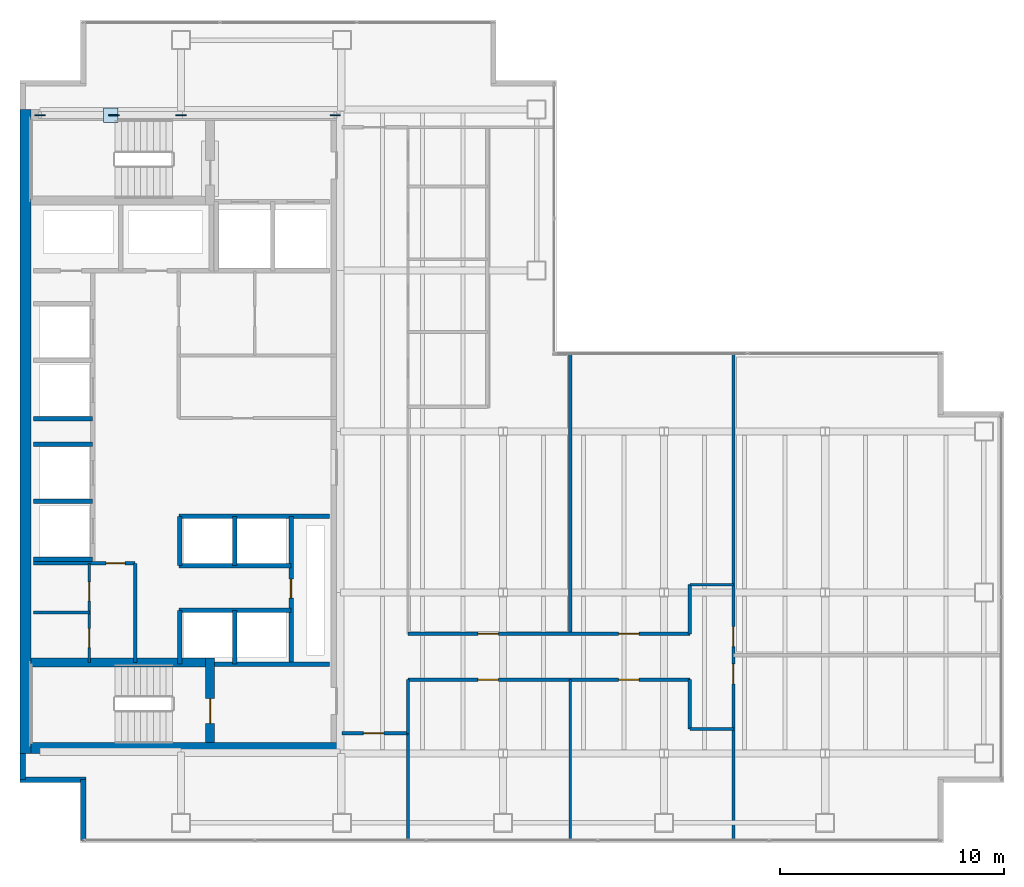
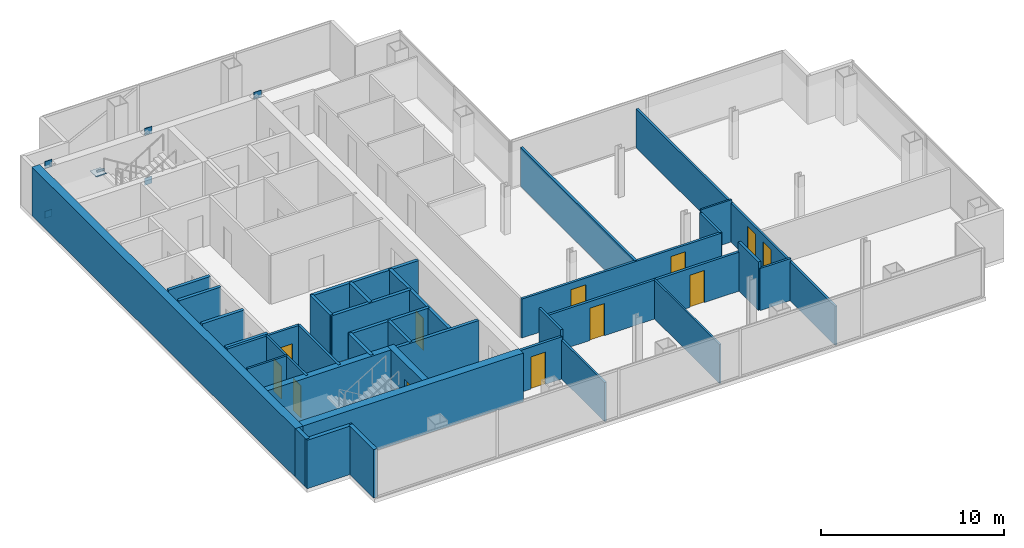
# One storey, part 20 of 23: 36 walls, 12 doors, 7 plates, 12 openings.
"""IFC4 building model written with IfcOpenShell, lengths in metres."""

from ifc_helpers import new_model, si_unit, direction, frame, frame_2d, origin, origin_2d, place, context, subcontext, project, spatial, rectangle, extrude, material, layer, layer_set, type_object, element, fill, save


model = new_model("IFC4")

# Units and contexts
model_context = context("Model", 3, precision=1e-05, world=origin(), true_north=direction((0.0, 1.0)))
body_context = subcontext(model_context, "Body", "Model", "MODEL_VIEW")
ifc_project = project(units=[si_unit("LENGTHUNIT", "METRE"), si_unit("AREAUNIT", "SQUARE_METRE"), si_unit("VOLUMEUNIT", "CUBIC_METRE"), si_unit("PLANEANGLEUNIT", "RADIAN"), si_unit("MASSUNIT", "GRAM", prefix="KILO")], contexts=[model_context])

# Site, building, storey
site_placement = place(None, origin())
site = spatial("IfcSite", under=ifc_project, at=site_placement, CompositionType="ELEMENT")
building_placement = place(site_placement, origin())
building = spatial("IfcBuilding", under=site, at=building_placement, Name="Cobrela Telecom Tower", CompositionType="ELEMENT")
storey_placement = place(building_placement, frame((0.0, 0.0, 173.25)))
storey = spatial("IfcBuildingStorey", under=building, at=storey_placement, Name="L43", CompositionType="ELEMENT", Elevation=173.25)

# Plates
ifc_material_1 = material(Name="Steel ASTM A572 Grade 50", Category="steel")
ifc_layer_1 = layer(ifc_material_1, 0.0419921875)
ifc_layer_set_1 = layer_set([ifc_layer_1], Name="Steel ASTM A572 Grade 50")
plate_type = type_object("IfcPlateType", Name="PLT-NODE-ND1", PredefinedType="USERDEFINED", material=ifc_layer_set_1)
for number, where, z_axis, x_axis, name in (
    (1, (0.89990234375, 35.75, -0.27001953125), (0.0, 0.0, 1.0), (1.0, 0.0, 0.0), "Steel node plate PLT-MBR-EXO-L43-N1-A-0"),
    (2, (7.199951171875, 35.75, 3.050048828125), (0.0, 0.0, 1.0), (1.0, 0.0, 0.0), "Steel node plate PLT-MBR-EXO-L43-N1-A-1"),
    (3, (7.199951171875, 35.75, -0.27001953125), (0.0, 0.0, 1.0), (-1.0, 0.0, 0.0), "Steel node plate PLT-MBR-EXO-L43-N1-B1-0"),
    (4, (4.198486328125, 35.75, 1.311767578125), (0.0, 0.0, 1.0), (-1.0, 0.0, 0.0), "Steel node plate PLT-MBR-EXO-L43-N1-B1-1"),
    (5, (0.89990234375, 35.75, 3.050048828125), (0.0, 0.0, 1.0), (-1.0, 0.0, 0.0), "Steel node plate PLT-MBR-EXO-L43-N1-B2-1"),
):
    element("IfcPlate", number, at=place(storey_placement, frame(where, z_axis=z_axis, x_axis=x_axis)), inside=storey, type_object=plate_type, Name=name, ObjectType="GUSSET PLATE", PredefinedType="USERDEFINED", context=body_context, shape_type="SweptSolid", body=[
        extrude(rectangle(XDim=0.4599609375, YDim=0.044921875, at=origin_2d()), origin(), (0.0, 0.0, 1.0), 0.4599609375),
    ])
plate_1_placement = place(storey_placement, frame((4.050048828125, 35.75, 1.59765625), z_axis=(0.0, 0.0, 1.0), x_axis=(1.0, 0.0, 0.0)))
element("IfcPlate", 6, at=plate_1_placement, inside=storey, type_object=plate_type, Name="L43 Core Flange Steel X-Brace Central X-Crossing Gusset Plate", ObjectType="GUSSET PLATE", PredefinedType="USERDEFINED", context=body_context, shape_type="SweptSolid", body=[
    extrude(rectangle(XDim=0.64990234375, YDim=0.64990234375, at=origin_2d()), origin(), (0.0, 0.0, 1.0), 0.044921875),
])
plate_2_placement = place(storey_placement, frame((14.10009765625, 35.75, 3.050048828125), z_axis=(0.0, 0.0, 1.0), x_axis=(1.0, 0.0, 0.0)))
element("IfcPlate", 7, at=plate_2_placement, inside=storey, type_object=plate_type, Name="Steel node plate PLT-MBR-EXO-L43-N2-1", ObjectType="GUSSET PLATE", PredefinedType="USERDEFINED", context=body_context, shape_type="SweptSolid", body=[
    extrude(rectangle(XDim=0.4599609375, YDim=0.044921875, at=origin_2d()), origin(), (0.0, 0.0, 1.0), 0.4599609375),
])

# Walls
ifc_material_2 = material(Name="Concrete C40/50", Category="concrete")
ifc_layer_2 = layer(ifc_material_2, 0.5)
ifc_layer_set_2 = layer_set([ifc_layer_2], Name="Concrete C40/50")
wall_type_1 = type_object("IfcWallType", Name="WALL-CORE-C40-500", PredefinedType="SHEAR", material=ifc_layer_set_2)
wall_1_placement = place(storey_placement, frame((0.25, 7.199951171875, 0.0), z_axis=(0.0, 0.0, 1.0), x_axis=(0.0, 1.0, 0.0)))
element("IfcWall", 8, at=wall_1_placement, inside=storey, type_object=wall_type_1, Name="L43 West Core Shear Wall", PredefinedType="SHEAR", context=body_context, shape_type="SweptSolid", body=[
    extrude(rectangle(XDim=28.800048828125, YDim=0.5, at=frame_2d((14.39990234375, 0.0))), origin(), (0.0, 0.0, 1.0), 3.239990234375),
])
wall_2_placement = place(storey_placement, frame((0.5, 7.449951171875, 0.0), z_axis=(0.0, 0.0, 1.0), x_axis=(1.0, 0.0, 0.0)))
element("IfcWall", 9, at=wall_2_placement, inside=storey, type_object=wall_type_1, Name="L43 South Core Shear Wall", PredefinedType="SHEAR", context=body_context, shape_type="SweptSolid", body=[
    extrude(rectangle(XDim=13.89990234375, YDim=0.5, at=frame_2d((6.949951171875, 0.0))), origin(), (0.0, 0.0, 1.0), 3.239990234375),
])
ifc_layer_3 = layer(ifc_material_2, 0.239990234375)
ifc_layer_set_3 = layer_set([ifc_layer_3], Name="Concrete C40/50")
wall_type_2 = type_object("IfcWallType", Name="WALL-EXT-300", PredefinedType="STANDARD", material=ifc_layer_set_3)
wall_3_placement = place(storey_placement, frame((2.830078125, 3.320068359375, 0.0), z_axis=(0.0, 0.0, 1.0), x_axis=(0.0, 1.0, 0.0)))
element("IfcWall", 10, at=wall_3_placement, inside=storey, type_object=wall_type_2, Name="L43 Insulated Facade Wall 01", PredefinedType="STANDARD", context=body_context, shape_type="SweptSolid", body=[
    extrude(rectangle(XDim=2.7099609375, YDim=0.239990234375, at=frame_2d((1.35498046875, 0.0))), origin(), (0.0, 0.0, 1.0), 3.239990234375),
])
wall_4_placement = place(storey_placement, frame((2.949951171875, 6.030029296875, 0.0), z_axis=(0.0, 0.0, 1.0), x_axis=(-1.0, 0.0, 0.0)))
element("IfcWall", 11, at=wall_4_placement, inside=storey, type_object=wall_type_2, Name="L43 Insulated Facade Wall 02", PredefinedType="STANDARD", context=body_context, shape_type="SweptSolid", body=[
    extrude(rectangle(XDim=2.949951171875, YDim=0.239990234375, at=frame_2d((1.47509765625, 0.0))), origin(), (0.0, 0.0, 1.0), 3.239990234375),
])
wall_5_placement = place(storey_placement, frame((0.1201171875, 6.030029296875, 0.0), z_axis=(0.0, 0.0, 1.0), x_axis=(0.0, 1.0, 0.0)))
element("IfcWall", 12, at=wall_5_placement, inside=storey, type_object=wall_type_2, Name="L43 Insulated Facade Wall 03", PredefinedType="STANDARD", context=body_context, shape_type="SweptSolid", body=[
    extrude(rectangle(XDim=1.169921875, YDim=0.239990234375, at=frame_2d((0.5849609375, 0.0))), origin(), (0.0, 0.0, 1.0), 3.239990234375),
])
ifc_material_3 = material(Name="Fire-Rated Gypsum Plasterboard")
ifc_layer_4 = layer(ifc_material_3, 0.110107421875)
ifc_layer_set_4 = layer_set([ifc_layer_4], Name="Fire-Rated Gypsum Plasterboard")
wall_type_3 = type_object("IfcWallType", Name="WALL-PART-110", PredefinedType="PARTITIONING", material=ifc_layer_set_4)
wall_6_placement = place(storey_placement, frame((29.949951171875, 14.75, 0.0), z_axis=(0.0, 0.0, 1.0), x_axis=(1.0, 0.0, 0.0)))
element("IfcWall", 13, at=wall_6_placement, inside=storey, type_object=wall_type_3, Name="L43 Interior Partition W-CT-N", PredefinedType="PARTITIONING", context=body_context, shape_type="SweptSolid", body=[
    extrude(rectangle(XDim=1.949951171875, YDim=0.110107421875, at=frame_2d((0.97509765625, 0.0))), origin(), (0.0, 0.0, 1.0), 2.80810546875),
])
wall_7_placement = place(storey_placement, frame((24.60009765625, 3.320068359375, 0.0), z_axis=(0.0, 0.0, 1.0), x_axis=(0.0, 1.0, 0.0)))
element("IfcWall", 14, at=wall_7_placement, inside=storey, type_object=wall_type_3, Name="L43 Interior Partition W-SV-1", PredefinedType="PARTITIONING", context=body_context, shape_type="SweptSolid", body=[
    extrude(rectangle(XDim=7.179931640625, YDim=0.110107421875, at=frame_2d((3.58984375, 0.0))), origin(), (0.0, 0.0, 1.0), 2.60302734375),
])
ifc_layer_5 = layer(ifc_material_3, 0.125)
ifc_layer_set_5 = layer_set([ifc_layer_5], Name="Fire-Rated Gypsum Plasterboard")
wall_type_4 = type_object("IfcWallType", Name="WALL-PART-125", PredefinedType="PARTITIONING", material=ifc_layer_set_5)
wall_8_placement = place(storey_placement, frame((0.60009765625, 13.5, 0.0), z_axis=(0.0, 0.0, 1.0), x_axis=(1.0, 0.0, 0.0)))
element("IfcWall", 15, at=wall_8_placement, inside=storey, type_object=wall_type_4, Name="L43 Interior Partition CW-FK3-H", PredefinedType="PARTITIONING", context=body_context, shape_type="SweptSolid", body=[
    extrude(rectangle(XDim=2.5, YDim=0.125, at=frame_2d((1.25, 0.0))), origin(), (0.0, 0.0, 1.0), 3.239990234375),
])

# Wall, openings, doors
wall_9_placement = place(storey_placement, frame((3.10009765625, 11.280029296875, 0.0), z_axis=(0.0, 0.0, 1.0), x_axis=(0.0, 1.0, 0.0)))
wall_9 = element("IfcWall", 16, at=wall_9_placement, inside=storey, type_object=wall_type_4, Name="L43 Interior Partition CW-FK3-V", PredefinedType="PARTITIONING", context=body_context, shape_type="SweptSolid", body=[
    extrude(rectangle(XDim=4.419921875, YDim=0.125, at=frame_2d((2.2099609375, 0.0))), origin(), (0.0, 0.0, 1.0), 3.239990234375),
])
opening_1_placement = place(wall_9_placement, frame((0.64990234375, 0.0, 0.0)))
opening_1 = element("IfcOpeningElement", 17, at=opening_1_placement, cuts=wall_9, Name="Opening DR-11", PredefinedType="OPENING", context=body_context, shape_type="SweptSolid", body=[
    extrude(rectangle(XDim=0.85009765625, YDim=2.14990234375, at=frame_2d((0.425048828125, 1.074951171875))), frame((0.0, 0.074462890625, 0.0), z_axis=(0.0, -1.0, 0.0), x_axis=(1.0, 0.0, 0.0)), (0.0, 0.0, 1.0), 0.14892578125),
])
opening_2_placement = place(wall_9_placement, frame((2.75, 0.0, 0.0)))
opening_2 = element("IfcOpeningElement", 18, at=opening_2_placement, cuts=wall_9, Name="Opening DR-11", PredefinedType="OPENING", context=body_context, shape_type="SweptSolid", body=[
    extrude(rectangle(XDim=0.85009765625, YDim=2.14990234375, at=frame_2d((0.425048828125, 1.074951171875))), frame((0.0, 0.074462890625, 0.0), z_axis=(0.0, -1.0, 0.0), x_axis=(1.0, 0.0, 0.0)), (0.0, 0.0, 1.0), 0.14892578125),
])
ifc_material_4 = material(Name="Solid Engineered Oak Timber", Category="wood")
door_type_1 = type_object("IfcDoorType", Name="DOOR-INT-850", OperationType="SINGLE_SWING_LEFT", PredefinedType="DOOR", material=ifc_material_4)
door_1_placement = place(opening_1_placement, origin())
door_1 = element("IfcDoor", 19, at=door_1_placement, inside=storey, type_object=door_type_1, Name="L43 Door DR-11", OperationType="SINGLE_SWING_LEFT", OverallHeight=2.14990234375, OverallWidth=0.85009765625, PredefinedType="DOOR", context=body_context, shape_type="SweptSolid", body=[
    extrude(rectangle(XDim=0.85009765625, YDim=2.14990234375, at=frame_2d((0.425048828125, 1.074951171875))), frame((0.0, 0.02490234375, 0.0), z_axis=(0.0, -1.0, 0.0), x_axis=(1.0, 0.0, 0.0)), (0.0, 0.0, 1.0), 0.050048828125),
])
fill(opening_1, door_1)
door_2_placement = place(opening_2_placement, origin())
door_2 = element("IfcDoor", 20, at=door_2_placement, inside=storey, type_object=door_type_1, Name="L43 Door DR-11", OperationType="SINGLE_SWING_RIGHT", OverallHeight=2.14990234375, OverallWidth=0.85009765625, PredefinedType="DOOR", context=body_context, shape_type="SweptSolid", body=[
    extrude(rectangle(XDim=0.85009765625, YDim=2.14990234375, at=frame_2d((0.425048828125, 1.074951171875))), frame((0.0, 0.02490234375, 0.0), z_axis=(0.0, -1.0, 0.0), x_axis=(1.0, 0.0, 0.0)), (0.0, 0.0, 1.0), 0.050048828125),
])
fill(opening_2, door_2)

# Walls
ifc_layer_6 = layer(ifc_material_3, 0.135009765625)
ifc_layer_set_6 = layer_set([ifc_layer_6], Name="Fire-Rated Gypsum Plasterboard")
wall_type_5 = type_object("IfcWallType", Name="WALL-PART-135", PredefinedType="PARTITIONING", material=ifc_layer_set_6)
wall_10_placement = place(storey_placement, frame((17.35009765625, 8.10009765625, 0.0), z_axis=(0.0, 0.0, 1.0), x_axis=(0.0, 1.0, 0.0)))
element("IfcWall", 21, at=wall_10_placement, inside=storey, type_object=wall_type_5, Name="L43 Interior Partition W-C-E1", PredefinedType="PARTITIONING", context=body_context, shape_type="SweptSolid", body=[
    extrude(rectangle(XDim=2.39990234375, YDim=0.135009765625, at=frame_2d((1.199951171875, 0.0))), origin(), (0.0, 0.0, 1.0), 3.239990234375),
])
wall_11_placement = place(storey_placement, frame((29.949951171875, 8.300048828125, 0.0), z_axis=(0.0, 0.0, 1.0), x_axis=(1.0, 0.0, 0.0)))
element("IfcWall", 22, at=wall_11_placement, inside=storey, type_object=wall_type_5, Name="L43 Interior Partition W-CT-S", PredefinedType="PARTITIONING", context=body_context, shape_type="SweptSolid", body=[
    extrude(rectangle(XDim=1.949951171875, YDim=0.135009765625, at=frame_2d((0.97509765625, 0.0))), origin(), (0.0, 0.0, 1.0), 2.80810546875),
])

# Wall, openings, doors
wall_12_placement = place(storey_placement, frame((31.89990234375, 3.320068359375, 0.0), z_axis=(0.0, 0.0, 1.0), x_axis=(0.0, 1.0, 0.0)))
wall_12 = element("IfcWall", 23, at=wall_12_placement, inside=storey, type_object=wall_type_5, Name="L43 Interior Partition W-C-END", PredefinedType="PARTITIONING", context=body_context, shape_type="SweptSolid", body=[
    extrude(rectangle(XDim=21.760009765625, YDim=0.135009765625, at=frame_2d((10.8798828125, 0.0))), origin(), (0.0, 0.0, 1.0), 2.60302734375),
])
opening_3_placement = place(wall_12_placement, frame((6.989990234375, 0.0, 0.0)))
opening_3 = element("IfcOpeningElement", 24, at=opening_3_placement, cuts=wall_12, Name="Opening DR-41", PredefinedType="OPENING", context=body_context, shape_type="SweptSolid", body=[
    extrude(rectangle(XDim=0.89990234375, YDim=2.14990234375, at=frame_2d((0.449951171875, 1.074951171875))), frame((0.0, 0.07958984375, 0.0), z_axis=(0.0, -1.0, 0.0), x_axis=(1.0, 0.0, 0.0)), (0.0, 0.0, 1.0), 0.158935546875),
])
opening_4_placement = place(wall_12_placement, frame((8.659912109375, 0.0, 0.0)))
opening_4 = element("IfcOpeningElement", 25, at=opening_4_placement, cuts=wall_12, Name="Opening DR-41", PredefinedType="OPENING", context=body_context, shape_type="SweptSolid", body=[
    extrude(rectangle(XDim=0.89990234375, YDim=2.14990234375, at=frame_2d((0.449951171875, 1.074951171875))), frame((0.0, 0.07958984375, 0.0), z_axis=(0.0, -1.0, 0.0), x_axis=(1.0, 0.0, 0.0)), (0.0, 0.0, 1.0), 0.158935546875),
])
door_type_2 = type_object("IfcDoorType", Name="DOOR-INT-900", OperationType="SINGLE_SWING_LEFT", PredefinedType="DOOR", material=ifc_material_4)
door_3_placement = place(opening_3_placement, origin())
door_3 = element("IfcDoor", 26, at=door_3_placement, inside=storey, type_object=door_type_2, Name="L43 Door DR-41", OperationType="SINGLE_SWING_LEFT", OverallHeight=2.14990234375, OverallWidth=0.89990234375, PredefinedType="DOOR", context=body_context, shape_type="SweptSolid", body=[
    extrude(rectangle(XDim=0.89990234375, YDim=2.14990234375, at=frame_2d((0.449951171875, 1.074951171875))), frame((0.0, 0.02490234375, 0.0), z_axis=(0.0, -1.0, 0.0), x_axis=(1.0, 0.0, 0.0)), (0.0, 0.0, 1.0), 0.050048828125),
])
fill(opening_3, door_3)
door_4_placement = place(opening_4_placement, origin())
door_4 = element("IfcDoor", 27, at=door_4_placement, inside=storey, type_object=door_type_2, Name="L43 Door DR-41", OperationType="SINGLE_SWING_RIGHT", OverallHeight=2.14990234375, OverallWidth=0.89990234375, PredefinedType="DOOR", context=body_context, shape_type="SweptSolid", body=[
    extrude(rectangle(XDim=0.89990234375, YDim=2.14990234375, at=frame_2d((0.449951171875, 1.074951171875))), frame((0.0, 0.02490234375, 0.0), z_axis=(0.0, -1.0, 0.0), x_axis=(1.0, 0.0, 0.0)), (0.0, 0.0, 1.0), 0.050048828125),
])
fill(opening_4, door_4)

# Walls
wall_13_placement = place(storey_placement, frame((17.35009765625, 3.320068359375, 0.0), z_axis=(0.0, 0.0, 1.0), x_axis=(0.0, 1.0, 0.0)))
element("IfcWall", 28, at=wall_13_placement, inside=storey, type_object=wall_type_5, Name="L43 Interior Partition W-SW-E", PredefinedType="PARTITIONING", context=body_context, shape_type="SweptSolid", body=[
    extrude(rectangle(XDim=4.780029296875, YDim=0.135009765625, at=frame_2d((2.39013671875, 0.0))), origin(), (0.0, 0.0, 1.0), 2.60302734375),
])
ifc_layer_7 = layer(ifc_material_3, 0.14990234375)
ifc_layer_set_7 = layer_set([ifc_layer_7], Name="Fire-Rated Gypsum Plasterboard")
wall_type_6 = type_object("IfcWallType", Name="WALL-PART-150", PredefinedType="PARTITIONING", material=ifc_layer_set_7)
wall_14_placement = place(storey_placement, frame((5.14990234375, 11.280029296875, 0.0), z_axis=(0.0, 0.0, 1.0), x_axis=(0.0, 1.0, 0.0)))
element("IfcWall", 29, at=wall_14_placement, inside=storey, type_object=wall_type_6, Name="L43 Interior Partition CW-FLEX-E", PredefinedType="PARTITIONING", context=body_context, shape_type="SweptSolid", body=[
    extrude(rectangle(XDim=4.419921875, YDim=0.14990234375, at=frame_2d((2.2099609375, 0.0))), origin(), (0.0, 0.0, 1.0), 3.239990234375),
])

# Wall, openings, doors
wall_15_placement = place(storey_placement, frame((17.35009765625, 12.550048828125, 0.0), z_axis=(0.0, 0.0, 1.0), x_axis=(1.0, 0.0, 0.0)))
wall_15 = element("IfcWall", 30, at=wall_15_placement, inside=storey, type_object=wall_type_6, Name="L43 Interior Partition W-C-HN", PredefinedType="PARTITIONING", context=body_context, shape_type="SweptSolid", body=[
    extrude(rectangle(XDim=12.599853515625, YDim=0.14990234375, at=frame_2d((6.2998046875, 0.0))), origin(), (0.0, 0.0, 1.0), 2.60302734375),
])
opening_5_placement = place(wall_15_placement, frame((3.1201171875, 0.0, 0.0)))
opening_5 = element("IfcOpeningElement", 31, at=opening_5_placement, cuts=wall_15, Name="Opening DR-45", PredefinedType="OPENING", context=body_context, shape_type="SweptSolid", body=[
    extrude(rectangle(XDim=0.919921875, YDim=2.14990234375, at=frame_2d((0.4599609375, 1.074951171875))), frame((0.0, 0.0869140625, 0.0), z_axis=(0.0, -1.0, 0.0), x_axis=(1.0, 0.0, 0.0)), (0.0, 0.0, 1.0), 0.173828125),
])
opening_6_placement = place(wall_15_placement, frame((9.419921875, 0.0, 0.0)))
opening_6 = element("IfcOpeningElement", 32, at=opening_6_placement, cuts=wall_15, Name="Opening DR-45", PredefinedType="OPENING", context=body_context, shape_type="SweptSolid", body=[
    extrude(rectangle(XDim=0.919921875, YDim=2.14990234375, at=frame_2d((0.4599609375, 1.074951171875))), frame((0.0, 0.0869140625, 0.0), z_axis=(0.0, -1.0, 0.0), x_axis=(1.0, 0.0, 0.0)), (0.0, 0.0, 1.0), 0.173828125),
])
door_type_3 = type_object("IfcDoorType", Name="DOOR-INT-920", OperationType="SINGLE_SWING_LEFT", PredefinedType="DOOR", material=ifc_material_4)
door_5_placement = place(opening_5_placement, origin())
door_5 = element("IfcDoor", 33, at=door_5_placement, inside=storey, type_object=door_type_3, Name="L43 Door DR-45", OperationType="SINGLE_SWING_LEFT", OverallHeight=2.14990234375, OverallWidth=0.919921875, PredefinedType="DOOR", context=body_context, shape_type="SweptSolid", body=[
    extrude(rectangle(XDim=0.919921875, YDim=2.14990234375, at=frame_2d((0.4599609375, 1.074951171875))), frame((0.0, 0.02490234375, 0.0), z_axis=(0.0, -1.0, 0.0), x_axis=(1.0, 0.0, 0.0)), (0.0, 0.0, 1.0), 0.050048828125),
])
fill(opening_5, door_5)
door_6_placement = place(opening_6_placement, origin())
door_6 = element("IfcDoor", 34, at=door_6_placement, inside=storey, type_object=door_type_3, Name="L43 Door DR-45", OperationType="SINGLE_SWING_RIGHT", OverallHeight=2.14990234375, OverallWidth=0.919921875, PredefinedType="DOOR", context=body_context, shape_type="SweptSolid", body=[
    extrude(rectangle(XDim=0.919921875, YDim=2.14990234375, at=frame_2d((0.4599609375, 1.074951171875))), frame((0.0, 0.02490234375, 0.0), z_axis=(0.0, -1.0, 0.0), x_axis=(1.0, 0.0, 0.0)), (0.0, 0.0, 1.0), 0.050048828125),
])
fill(opening_6, door_6)

# Walls
wall_16_placement = place(storey_placement, frame((29.949951171875, 12.550048828125, 0.0), z_axis=(0.0, 0.0, 1.0), x_axis=(0.0, 1.0, 0.0)))
element("IfcWall", 35, at=wall_16_placement, inside=storey, type_object=wall_type_6, Name="L43 Interior Partition W-CT-JW2", PredefinedType="PARTITIONING", context=body_context, shape_type="SweptSolid", body=[
    extrude(rectangle(XDim=2.199951171875, YDim=0.14990234375, at=frame_2d((1.10009765625, 0.0))), origin(), (0.0, 0.0, 1.0), 2.60302734375),
])
wall_17_placement = place(storey_placement, frame((24.60009765625, 12.550048828125, 0.0), z_axis=(0.0, 0.0, 1.0), x_axis=(0.0, 1.0, 0.0)))
element("IfcWall", 36, at=wall_17_placement, inside=storey, type_object=wall_type_6, Name="L43 Interior Partition W-NV-1", PredefinedType="PARTITIONING", context=body_context, shape_type="SweptSolid", body=[
    extrude(rectangle(XDim=12.5, YDim=0.14990234375, at=frame_2d((6.25, 0.0))), origin(), (0.0, 0.0, 1.0), 2.60302734375),
])

# Wall, opening, door
ifc_layer_8 = layer(ifc_material_3, 0.159912109375)
ifc_layer_set_8 = layer_set([ifc_layer_8], Name="Fire-Rated Gypsum Plasterboard")
wall_type_7 = type_object("IfcWallType", Name="WALL-PART-160", PredefinedType="PARTITIONING", material=ifc_layer_set_8)
wall_18_placement = place(storey_placement, frame((0.60009765625, 15.699951171875, 0.0), z_axis=(0.0, 0.0, 1.0), x_axis=(1.0, 0.0, 0.0)))
wall_18 = element("IfcWall", 37, at=wall_18_placement, inside=storey, type_object=wall_type_7, Name="L43 Interior Partition CW-FLEX-N", PredefinedType="PARTITIONING", context=body_context, shape_type="SweptSolid", body=[
    extrude(rectangle(XDim=4.5498046875, YDim=0.159912109375, at=frame_2d((2.27490234375, 0.0))), origin(), (0.0, 0.0, 1.0), 3.239990234375),
])
opening_7_placement = place(wall_18_placement, frame((3.25, 0.0, 0.0)))
opening_7 = element("IfcOpeningElement", 38, at=opening_7_placement, cuts=wall_18, Name="Opening DR-11", PredefinedType="OPENING", context=body_context, shape_type="SweptSolid", body=[
    extrude(rectangle(XDim=0.85009765625, YDim=2.14990234375, at=frame_2d((0.425048828125, 1.074951171875))), frame((0.0, 0.091796875, 0.0), z_axis=(0.0, -1.0, 0.0), x_axis=(1.0, 0.0, 0.0)), (0.0, 0.0, 1.0), 0.183837890625),
])
door_7_placement = place(opening_7_placement, origin())
door_7 = element("IfcDoor", 39, at=door_7_placement, inside=storey, type_object=door_type_1, Name="L43 Door DR-11", OperationType="SINGLE_SWING_LEFT", OverallHeight=2.14990234375, OverallWidth=0.85009765625, PredefinedType="DOOR", context=body_context, shape_type="SweptSolid", body=[
    extrude(rectangle(XDim=0.85009765625, YDim=2.14990234375, at=frame_2d((0.425048828125, 1.074951171875))), frame((0.0, 0.02490234375, 0.0), z_axis=(0.0, -1.0, 0.0), x_axis=(1.0, 0.0, 0.0)), (0.0, 0.0, 1.0), 0.050048828125),
])
fill(opening_7, door_7)

wall_19_placement = place(storey_placement, frame((14.39990234375, 8.10009765625, 0.0), z_axis=(0.0, 0.0, 1.0), x_axis=(1.0, 0.0, 0.0)))
wall_19 = element("IfcWall", 40, at=wall_19_placement, inside=storey, type_object=wall_type_7, Name="L43 Interior Partition W-C-S0", PredefinedType="PARTITIONING", context=body_context, shape_type="SweptSolid", body=[
    extrude(rectangle(XDim=2.9501953125, YDim=0.159912109375, at=frame_2d((1.47509765625, 0.0))), origin(), (0.0, 0.0, 1.0), 2.80810546875),
])
opening_8_placement = place(wall_19_placement, frame((0.949951171875, 0.0, 0.0)))
opening_8 = element("IfcOpeningElement", 41, at=opening_8_placement, cuts=wall_19, Name="Opening DR-45", PredefinedType="OPENING", context=body_context, shape_type="SweptSolid", body=[
    extrude(rectangle(XDim=0.919921875, YDim=2.14990234375, at=frame_2d((0.4599609375, 1.074951171875))), frame((0.0, 0.091796875, 0.0), z_axis=(0.0, -1.0, 0.0), x_axis=(1.0, 0.0, 0.0)), (0.0, 0.0, 1.0), 0.183837890625),
])
door_8_placement = place(opening_8_placement, origin())
door_8 = element("IfcDoor", 42, at=door_8_placement, inside=storey, type_object=door_type_3, Name="L43 Door DR-45", OperationType="SINGLE_SWING_RIGHT", OverallHeight=2.14990234375, OverallWidth=0.919921875, PredefinedType="DOOR", context=body_context, shape_type="SweptSolid", body=[
    extrude(rectangle(XDim=0.919921875, YDim=2.14990234375, at=frame_2d((0.4599609375, 1.074951171875))), frame((0.0, 0.02490234375, 0.0), z_axis=(0.0, -1.0, 0.0), x_axis=(1.0, 0.0, 0.0)), (0.0, 0.0, 1.0), 0.050048828125),
])
fill(opening_8, door_8)

# Wall, openings, doors
wall_20_placement = place(storey_placement, frame((17.35009765625, 10.5, 0.0), z_axis=(0.0, 0.0, 1.0), x_axis=(1.0, 0.0, 0.0)))
wall_20 = element("IfcWall", 43, at=wall_20_placement, inside=storey, type_object=wall_type_7, Name="L43 Interior Partition W-C-HS", PredefinedType="PARTITIONING", context=body_context, shape_type="SweptSolid", body=[
    extrude(rectangle(XDim=12.599853515625, YDim=0.159912109375, at=frame_2d((6.2998046875, 0.0))), origin(), (0.0, 0.0, 1.0), 2.60302734375),
])
opening_9_placement = place(wall_20_placement, frame((3.1201171875, 0.0, 0.0)))
opening_9 = element("IfcOpeningElement", 44, at=opening_9_placement, cuts=wall_20, Name="Opening DR-45", PredefinedType="OPENING", context=body_context, shape_type="SweptSolid", body=[
    extrude(rectangle(XDim=0.919921875, YDim=2.14990234375, at=frame_2d((0.4599609375, 1.074951171875))), frame((0.0, 0.091796875, 0.0), z_axis=(0.0, -1.0, 0.0), x_axis=(1.0, 0.0, 0.0)), (0.0, 0.0, 1.0), 0.183837890625),
])
opening_10_placement = place(wall_20_placement, frame((9.419921875, 0.0, 0.0)))
opening_10 = element("IfcOpeningElement", 45, at=opening_10_placement, cuts=wall_20, Name="Opening DR-45", PredefinedType="OPENING", context=body_context, shape_type="SweptSolid", body=[
    extrude(rectangle(XDim=0.919921875, YDim=2.14990234375, at=frame_2d((0.4599609375, 1.074951171875))), frame((0.0, 0.091796875, 0.0), z_axis=(0.0, -1.0, 0.0), x_axis=(1.0, 0.0, 0.0)), (0.0, 0.0, 1.0), 0.183837890625),
])
door_9_placement = place(opening_9_placement, origin())
door_9 = element("IfcDoor", 46, at=door_9_placement, inside=storey, type_object=door_type_3, Name="L43 Door DR-45", OperationType="SINGLE_SWING_LEFT", OverallHeight=2.14990234375, OverallWidth=0.919921875, PredefinedType="DOOR", context=body_context, shape_type="SweptSolid", body=[
    extrude(rectangle(XDim=0.919921875, YDim=2.14990234375, at=frame_2d((0.4599609375, 1.074951171875))), frame((0.0, 0.02490234375, 0.0), z_axis=(0.0, -1.0, 0.0), x_axis=(1.0, 0.0, 0.0)), (0.0, 0.0, 1.0), 0.050048828125),
])
fill(opening_9, door_9)
door_10_placement = place(opening_10_placement, origin())
door_10 = element("IfcDoor", 47, at=door_10_placement, inside=storey, type_object=door_type_3, Name="L43 Door DR-45", OperationType="SINGLE_SWING_RIGHT", OverallHeight=2.14990234375, OverallWidth=0.919921875, PredefinedType="DOOR", context=body_context, shape_type="SweptSolid", body=[
    extrude(rectangle(XDim=0.919921875, YDim=2.14990234375, at=frame_2d((0.4599609375, 1.074951171875))), frame((0.0, 0.02490234375, 0.0), z_axis=(0.0, -1.0, 0.0), x_axis=(1.0, 0.0, 0.0)), (0.0, 0.0, 1.0), 0.050048828125),
])
fill(opening_10, door_10)

# Walls
wall_21_placement = place(storey_placement, frame((29.949951171875, 8.300048828125, 0.0), z_axis=(0.0, 0.0, 1.0), x_axis=(0.0, 1.0, 0.0)))
element("IfcWall", 48, at=wall_21_placement, inside=storey, type_object=wall_type_7, Name="L43 Interior Partition W-CT-JW1", PredefinedType="PARTITIONING", context=body_context, shape_type="SweptSolid", body=[
    extrude(rectangle(XDim=2.199951171875, YDim=0.159912109375, at=frame_2d((1.10009765625, 0.0))), origin(), (0.0, 0.0, 1.0), 3.239990234375),
])
ifc_layer_9 = layer(ifc_material_3, 0.199951171875)
ifc_layer_set_9 = layer_set([ifc_layer_9], Name="Fire-Rated Gypsum Plasterboard")
wall_type_8 = type_object("IfcWallType", Name="WALL-SHAFT-200", PredefinedType="PARTITIONING", material=ifc_layer_set_9)
wall_22_placement = place(storey_placement, frame((8.699951171875, 11.199951171875, 0.0), z_axis=(0.0, 0.0, 1.0), x_axis=(1.0, 0.0, 0.0)))
element("IfcWall", 49, at=wall_22_placement, inside=storey, type_object=wall_type_8, Name="L43 Shaft Enclosure CW-ST2L-N", PredefinedType="PARTITIONING", context=body_context, shape_type="SweptSolid", body=[
    extrude(rectangle(XDim=5.150146484375, YDim=0.199951171875, at=frame_2d((2.5751953125, 0.0))), origin(), (0.0, 0.0, 1.0), 3.239990234375),
])
for number, where, z_axis, x_axis, name in (
    (50, (0.60009765625, 15.8798828125, 0.0), (0.0, 0.0, 1.0), (1.0, 0.0, 0.0), "L43 Shaft Enclosure CW-PLH-D9"),
    (51, (0.60009765625, 18.47998046875, 0.0), (0.0, 0.0, 1.0), (1.0, 0.0, 0.0), "L43 Shaft Enclosure CW-PLH-D10"),
    (52, (0.60009765625, 22.179931640625, 0.0), (0.0, 0.0, 1.0), (1.0, 0.0, 0.0), "L43 Shaft Enclosure CW-PLH-D11"),
    (53, (0.60009765625, 21.02001953125, 0.0), (0.0, 0.0, 1.0), (1.0, 0.0, 0.0), "L43 Shaft Enclosure CW-PLH-MID"),
):
    element("IfcWall", number, at=place(storey_placement, frame(where, z_axis=z_axis, x_axis=x_axis)), inside=storey, type_object=wall_type_8, Name=name, PredefinedType="PARTITIONING", context=body_context, shape_type="SweptSolid", body=[
        extrude(rectangle(XDim=2.64990234375, YDim=0.199951171875, at=frame_2d((1.324951171875, 0.0))), origin(), (0.0, 0.0, 1.0), 3.239990234375),
    ])
wall_23_placement = place(storey_placement, frame((7.10009765625, 17.800048828125, 0.0), z_axis=(0.0, 0.0, 1.0), x_axis=(1.0, 0.0, 0.0)))
element("IfcWall", 54, at=wall_23_placement, inside=storey, type_object=wall_type_8, Name="L43 Shaft Enclosure CW-PLM-T0", PredefinedType="PARTITIONING", context=body_context, shape_type="SweptSolid", body=[
    extrude(rectangle(XDim=6.75, YDim=0.199951171875, at=frame_2d((3.375, 0.0))), origin(), (0.0, 0.0, 1.0), 3.239990234375),
])
for number, where, z_axis, x_axis, name in (
    (55, (7.10009765625, 15.60009765625, 0.0), (0.0, 0.0, 1.0), (1.0, 0.0, 0.0), "L43 Shaft Enclosure CW-PLM-N"),
    (56, (7.10009765625, 13.60009765625, 0.0), (0.0, 0.0, 1.0), (1.0, 0.0, 0.0), "L43 Shaft Enclosure CW-PLM-S"),
):
    element("IfcWall", number, at=place(storey_placement, frame(where, z_axis=z_axis, x_axis=x_axis)), inside=storey, type_object=wall_type_8, Name=name, PredefinedType="PARTITIONING", context=body_context, shape_type="SweptSolid", body=[
        extrude(rectangle(XDim=5.02001953125, YDim=0.199951171875, at=frame_2d((2.510009765625, 0.0))), origin(), (0.0, 0.0, 1.0), 3.239990234375),
    ])
wall_24_placement = place(storey_placement, frame((7.14990234375, 15.60009765625, 0.0), z_axis=(0.0, 0.0, 1.0), x_axis=(0.0, 1.0, 0.0)))
element("IfcWall", 57, at=wall_24_placement, inside=storey, type_object=wall_type_8, Name="L43 Shaft Enclosure CW-PLM-V1", PredefinedType="PARTITIONING", context=body_context, shape_type="SweptSolid", body=[
    extrude(rectangle(XDim=2.199951171875, YDim=0.199951171875, at=frame_2d((1.10009765625, 0.0))), origin(), (0.0, 0.0, 1.0), 3.239990234375),
])
wall_25_placement = place(storey_placement, frame((7.14990234375, 11.199951171875, 0.0), z_axis=(0.0, 0.0, 1.0), x_axis=(0.0, 1.0, 0.0)))
element("IfcWall", 58, at=wall_25_placement, inside=storey, type_object=wall_type_8, Name="L43 Shaft Enclosure CW-PLM-V1B", PredefinedType="PARTITIONING", context=body_context, shape_type="SweptSolid", body=[
    extrude(rectangle(XDim=2.400146484375, YDim=0.199951171875, at=frame_2d((1.2001953125, 0.0))), origin(), (0.0, 0.0, 1.0), 3.239990234375),
])
wall_26_placement = place(storey_placement, frame((9.60009765625, 15.60009765625, 0.0), z_axis=(0.0, 0.0, 1.0), x_axis=(0.0, 1.0, 0.0)))
element("IfcWall", 59, at=wall_26_placement, inside=storey, type_object=wall_type_8, Name="L43 Shaft Enclosure CW-PLM-V2", PredefinedType="PARTITIONING", context=body_context, shape_type="SweptSolid", body=[
    extrude(rectangle(XDim=2.199951171875, YDim=0.199951171875, at=frame_2d((1.10009765625, 0.0))), origin(), (0.0, 0.0, 1.0), 3.239990234375),
])
wall_27_placement = place(storey_placement, frame((9.60009765625, 11.199951171875, 0.0), z_axis=(0.0, 0.0, 1.0), x_axis=(0.0, 1.0, 0.0)))
element("IfcWall", 60, at=wall_27_placement, inside=storey, type_object=wall_type_8, Name="L43 Shaft Enclosure CW-PLM-V2B", PredefinedType="PARTITIONING", context=body_context, shape_type="SweptSolid", body=[
    extrude(rectangle(XDim=2.400146484375, YDim=0.199951171875, at=frame_2d((1.2001953125, 0.0))), origin(), (0.0, 0.0, 1.0), 3.239990234375),
])

# Wall, opening, door
wall_28_placement = place(storey_placement, frame((12.1201171875, 11.199951171875, 0.0), z_axis=(0.0, 0.0, 1.0), x_axis=(0.0, 1.0, 0.0)))
wall_28 = element("IfcWall", 61, at=wall_28_placement, inside=storey, type_object=wall_type_8, Name="L43 Shaft Enclosure CW-PLM-V3", PredefinedType="PARTITIONING", context=body_context, shape_type="SweptSolid", body=[
    extrude(rectangle(XDim=6.60009765625, YDim=0.199951171875, at=frame_2d((3.300048828125, 0.0))), origin(), (0.0, 0.0, 1.0), 3.239990234375),
])
opening_11_placement = place(wall_28_placement, frame((2.949951171875, 0.0, 0.0)))
opening_11 = element("IfcOpeningElement", 62, at=opening_11_placement, cuts=wall_28, Name="Opening DR-11", PredefinedType="OPENING", context=body_context, shape_type="SweptSolid", body=[
    extrude(rectangle(XDim=0.85009765625, YDim=2.14990234375, at=frame_2d((0.425048828125, 1.074951171875))), frame((0.0, 0.11181640625, 0.0), z_axis=(0.0, -1.0, 0.0), x_axis=(1.0, 0.0, 0.0)), (0.0, 0.0, 1.0), 0.223876953125),
])
door_11_placement = place(opening_11_placement, origin())
door_11 = element("IfcDoor", 63, at=door_11_placement, inside=storey, type_object=door_type_1, Name="L43 Door DR-11", OperationType="SINGLE_SWING_RIGHT", OverallHeight=2.14990234375, OverallWidth=0.85009765625, PredefinedType="DOOR", context=body_context, shape_type="SweptSolid", body=[
    extrude(rectangle(XDim=0.85009765625, YDim=2.14990234375, at=frame_2d((0.425048828125, 1.074951171875))), frame((0.0, 0.02490234375, 0.0), z_axis=(0.0, -1.0, 0.0), x_axis=(1.0, 0.0, 0.0)), (0.0, 0.0, 1.0), 0.050048828125),
])
fill(opening_11, door_11)

# Wall
ifc_layer_10 = layer(ifc_material_2, 0.39990234375)
ifc_layer_set_10 = layer_set([ifc_layer_10], Name="Concrete C40/50")
wall_type_9 = type_object("IfcWallType", Name="WALL-SHAFT-C40-400", PredefinedType="SHEAR", material=ifc_layer_set_10)
wall_29_placement = place(storey_placement, frame((0.5, 11.280029296875, 0.0), z_axis=(0.0, 0.0, 1.0), x_axis=(1.0, 0.0, 0.0)))
element("IfcWall", 64, at=wall_29_placement, inside=storey, type_object=wall_type_9, Name="L43 South Stair Shear Wall", PredefinedType="SHEAR", context=body_context, shape_type="SweptSolid", body=[
    extrude(rectangle(XDim=7.800048828125, YDim=0.39990234375, at=frame_2d((3.89990234375, 0.0))), origin(), (0.0, 0.0, 1.0), 3.239990234375),
])

# Wall, opening, door
wall_30_placement = place(storey_placement, frame((8.5, 7.699951171875, 0.0), z_axis=(0.0, 0.0, 1.0), x_axis=(0.0, 1.0, 0.0)))
wall_30 = element("IfcWall", 65, at=wall_30_placement, inside=storey, type_object=wall_type_9, Name="L43 South Stair Lobby Shear Wall", PredefinedType="SHEAR", context=body_context, shape_type="SweptSolid", body=[
    extrude(rectangle(XDim=3.780029296875, YDim=0.39990234375, at=frame_2d((1.89013671875, 0.0))), origin(), (0.0, 0.0, 1.0), 3.239990234375),
])
opening_12_placement = place(wall_30_placement, frame((0.85009765625, 0.0, 0.0)))
opening_12 = element("IfcOpeningElement", 66, at=opening_12_placement, cuts=wall_30, Name="Opening FD-90", PredefinedType="OPENING", context=body_context, shape_type="SweptSolid", body=[
    extrude(rectangle(XDim=1.10009765625, YDim=2.14990234375, at=frame_2d((0.550048828125, 1.074951171875))), frame((0.0, 0.2119140625, 0.0), z_axis=(0.0, -1.0, 0.0), x_axis=(1.0, 0.0, 0.0)), (0.0, 0.0, 1.0), 0.423828125),
])
ifc_material_5 = material(Name="Steel ASTM A36", Category="steel")
door_type_4 = type_object("IfcDoorType", Name="DOOR-FD90-1100", OperationType="SINGLE_SWING_LEFT", PredefinedType="DOOR", material=ifc_material_5)
door_12_placement = place(opening_12_placement, origin())
door_12 = element("IfcDoor", 67, at=door_12_placement, inside=storey, type_object=door_type_4, Name="L43 Door FD-90", OperationType="SINGLE_SWING_LEFT", OverallHeight=2.14990234375, OverallWidth=1.10009765625, PredefinedType="DOOR", context=body_context, shape_type="SweptSolid", body=[
    extrude(rectangle(XDim=1.10009765625, YDim=2.14990234375, at=frame_2d((0.550048828125, 1.074951171875))), frame((0.0, 0.02490234375, 0.0), z_axis=(0.0, -1.0, 0.0), x_axis=(1.0, 0.0, 0.0)), (0.0, 0.0, 1.0), 0.050048828125),
])
fill(opening_12, door_12)

save(model, "model.ifc")
